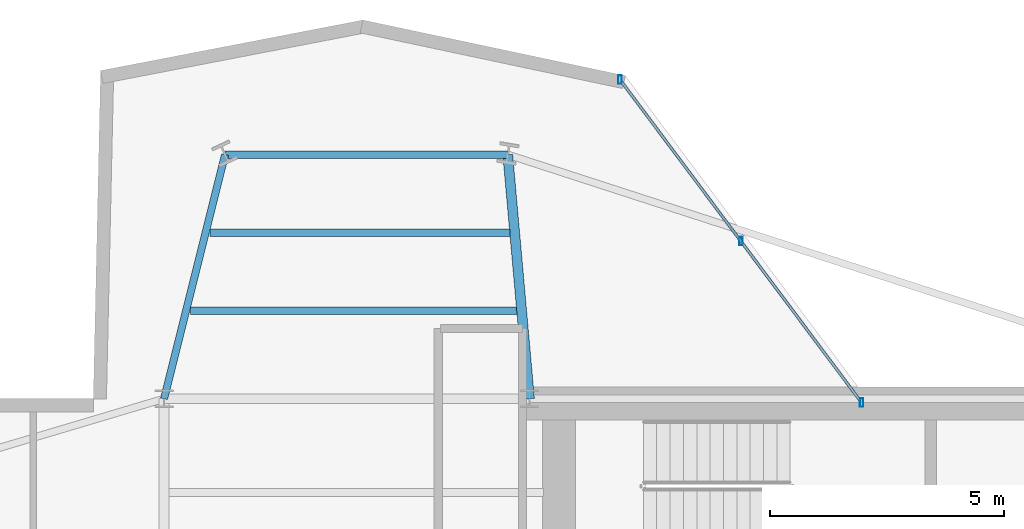
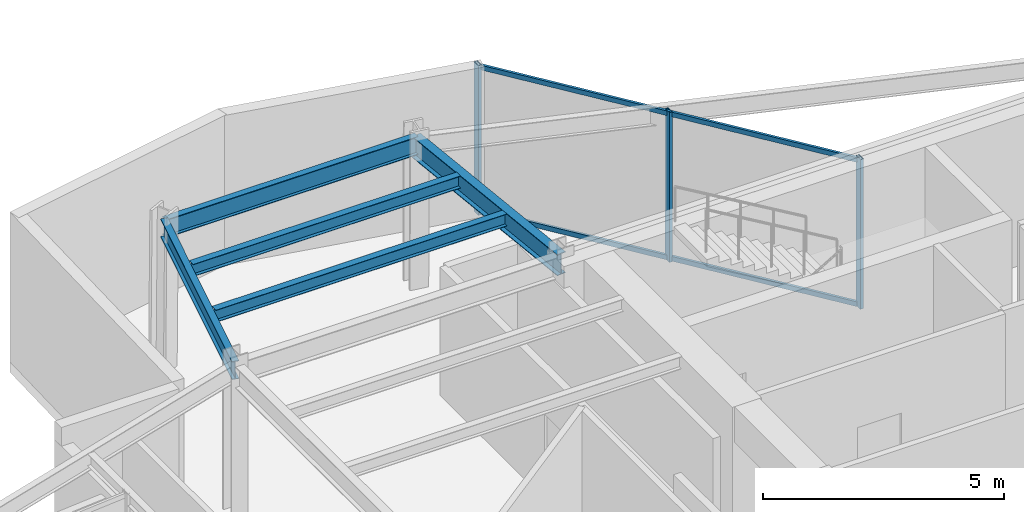
# One storey, part 9 of 18: 5 beams, 5 members, 1 element without a shape of its own.
"""IFC4 building model written with IfcOpenShell, lengths in metres."""

from ifc_helpers import new_model, si_unit, direction, frame, origin, origin_2d, place, context, subcontext, project, spatial, hollow_rectangle, i_section, extrude, material, layer, layer_set, material_profile, profile_set, type_object, element, aggregate, save


model = new_model("IFC4")

# Units and contexts
model_context = context("Model", 3, precision=1e-05, world=origin(), true_north=direction((0.0, 1.0)))
body_context = subcontext(model_context, "Body", "Model", "MODEL_VIEW")
ifc_project = project(units=[si_unit("LENGTHUNIT", "METRE"), si_unit("AREAUNIT", "SQUARE_METRE"), si_unit("VOLUMEUNIT", "CUBIC_METRE"), si_unit("PLANEANGLEUNIT", "RADIAN"), si_unit("MASSUNIT", "GRAM", prefix="KILO")], contexts=[model_context])

# Site, building, storey
site_placement = place(None, origin())
site = spatial("IfcSite", under=ifc_project, at=site_placement, CompositionType="ELEMENT")
building_placement = place(site_placement, origin())
building = spatial("IfcBuilding", under=site, at=building_placement, Name="Veymaron Broadcast Tower", CompositionType="ELEMENT")
storey_placement = place(building_placement, frame((0.0, 0.0, 236.39990234375)))
storey = spatial("IfcBuildingStorey", under=building, at=storey_placement, Name="L55", CompositionType="ELEMENT", Elevation=236.39990234375)

# Beams
ifc_material_1 = material(Name="Structural steel ASTM A992 Gr 50", Category="steel")
ifc_material_profile_1 = material_profile(ifc_material_1, i_section(OverallWidth=0.2099609375, OverallDepth=0.537109375, WebThickness=0.010986328125, FlangeThickness=0.017333984375, at=origin_2d()), Name="W530X101")
ifc_profile_set_1 = profile_set([ifc_material_profile_1], Name="Structural steel ASTM A992 Gr 50")
beam_type_1 = type_object("IfcBeamType", Name="BM-FG3", PredefinedType="BEAM", material=ifc_profile_set_1)
beam_1_placement = place(storey_placement, frame((39.0, 32.0, 3.521484375), z_axis=(-0.088915400246, 0.996039181759, 0.0), x_axis=(-0.996039181759, -0.088915400246, 0.0)))
element("IfcBeam", 1, at=beam_1_placement, inside=storey, type_object=beam_type_1, Name="L55 primary structural floor girder", PredefinedType="BEAM", context=body_context, shape_type="SweptSolid", body=[
    extrude(i_section(OverallWidth=0.2099609375, OverallDepth=0.537109375, WebThickness=0.010986328125, FlangeThickness=0.017333984375, at=origin_2d()), origin(), (0.0, 0.0, 1.0), 5.230712890625),
])
ifc_material_profile_2 = material_profile(ifc_material_1, i_section(OverallWidth=0.1650390625, OverallDepth=0.31005859375, WebThickness=0.005859375, FlangeThickness=0.009765625, at=origin_2d()), Name="W310X39")
ifc_profile_set_2 = profile_set([ifc_material_profile_2], Name="Structural steel ASTM A992 Gr 50")
beam_type_2 = type_object("IfcBeamType", Name="BM-JS3", PredefinedType="JOIST", material=ifc_profile_set_2)
beam_2_placement = place(storey_placement, frame((31.768798828125, 33.87548828125, 3.635009765625), z_axis=(1.0, 0.0, 0.0), x_axis=(0.0, 1.0, 0.0)))
element("IfcBeam", 2, at=beam_2_placement, inside=storey, type_object=beam_type_2, Name="L55 Arm-B secondary joist 1", PredefinedType="JOIST", context=body_context, shape_type="SweptSolid", body=[
    extrude(i_section(OverallWidth=0.1650390625, OverallDepth=0.31005859375, WebThickness=0.005859375, FlangeThickness=0.009765625, at=origin_2d()), origin(), (0.0, 0.0, 1.0), 6.9638671875),
])
beam_3_placement = place(storey_placement, frame((32.185302734375, 35.542724609375, 3.635009765625), z_axis=(1.0, 0.0, 0.0), x_axis=(0.0, 1.0, 0.0)))
element("IfcBeam", 3, at=beam_3_placement, inside=storey, type_object=beam_type_2, Name="L55 Arm-B secondary joist 2", PredefinedType="JOIST", context=body_context, shape_type="SweptSolid", body=[
    extrude(i_section(OverallWidth=0.1650390625, OverallDepth=0.31005859375, WebThickness=0.005859375, FlangeThickness=0.009765625, at=origin_2d()), origin(), (0.0, 0.0, 1.0), 6.3984375),
])
ifc_material_profile_3 = material_profile(ifc_material_1, i_section(OverallWidth=0.154052734375, OverallDepth=0.458984375, WebThickness=0.009033203125, FlangeThickness=0.015380859375, at=origin_2d()), Name="W460X68")
ifc_profile_set_3 = profile_set([ifc_material_profile_3], Name="Structural steel ASTM A992 Gr 50")
beam_type_3 = type_object("IfcBeamType", Name="BM-SP2", PredefinedType="SPANDREL", material=ifc_profile_set_3)
beam_4_placement = place(storey_placement, frame((31.199951171875, 32.0, 3.560546875), z_axis=(0.242450048139, 0.970163890359, 0.0), x_axis=(-0.970163890359, 0.242450048139, 0.0)))
element("IfcBeam", 4, at=beam_4_placement, inside=storey, type_object=beam_type_3, Name="L55 primary structural floor girder", PredefinedType="SPANDREL", context=body_context, shape_type="SweptSolid", body=[
    extrude(i_section(OverallWidth=0.154052734375, OverallDepth=0.458984375, WebThickness=0.009033203125, FlangeThickness=0.015380859375, at=origin_2d()), origin(), (0.0, 0.0, 1.0), 5.3701171875),
])
beam_5_placement = place(storey_placement, frame((32.501953125, 37.2099609375, 3.560546875), z_axis=(1.0, 0.0, 0.0), x_axis=(0.0, 1.0, 0.0)))
element("IfcBeam", 5, at=beam_5_placement, inside=storey, type_object=beam_type_3, Name="L55 primary structural floor girder", PredefinedType="SPANDREL", context=body_context, shape_type="SweptSolid", body=[
    extrude(i_section(OverallWidth=0.154052734375, OverallDepth=0.458984375, WebThickness=0.009033203125, FlangeThickness=0.015380859375, at=origin_2d()), origin(), (0.0, 0.0, 1.0), 6.032958984375),
])

# Curtain wall, members
ifc_material_2 = material(Name="Anodised aluminium AA 6063-T6 and laminated low-E dark glass", Category="aluminium")
ifc_layer = layer(ifc_material_2, 0.179931640625)
ifc_layer_set = layer_set([ifc_layer], Name="Anodised aluminium AA 6063-T6 and laminated low-E dark glass")
curtain_wall_type = type_object("IfcCurtainWallType", Name="CW-SYS-05", PredefinedType="NOTDEFINED", material=ifc_layer_set)
curtain_wall_placement = place(storey_placement, origin())
curtain_wall = element("IfcCurtainWall", 6, at=curtain_wall_placement, inside=storey, type_object=curtain_wall_type, Name="L55 dark-glass curtain wall CW-L55-E7-1", PredefinedType="NOTDEFINED")
ifc_material_3 = material(Name="Anodised aluminium AA 6063-T6", Category="aluminium")
ifc_material_profile_4 = material_profile(ifc_material_3, hollow_rectangle(XDim=0.074951171875, YDim=0.179931640625, WallThickness=0.0048828125, at=origin_2d()), Name="AL180X75X5")
ifc_profile_set_4 = profile_set([ifc_material_profile_4], Name="Anodised aluminium AA 6063-T6")
member_type_1 = type_object("IfcMemberType", Name="CW-MUL-02", PredefinedType="MULLION", material=ifc_profile_set_4)
member_1_placement = place(storey_placement, frame((46.089599609375, 31.916015625, 0.0), z_axis=(0.0, 0.0, 1.0), x_axis=(1.0, 0.0, 0.0)))
member_1 = element("IfcMember", 7, at=member_1_placement, type_object=member_type_1, Name="CW-L55-E7-1 mullion 0", PredefinedType="MULLION", context=body_context, shape_type="SweptSolid", body=[
    extrude(hollow_rectangle(XDim=0.074951171875, YDim=0.179931640625, WallThickness=0.0048828125, at=origin_2d()), origin(), (0.0, 0.0, 1.0), 3.7900390625),
])
member_2_placement = place(storey_placement, frame((43.51025390625, 35.364013671875, 0.0), z_axis=(0.0, 0.0, 1.0), x_axis=(1.0, 0.0, 0.0)))
member_2 = element("IfcMember", 8, at=member_2_placement, type_object=member_type_1, Name="CW-L55-E7-1 mullion 1", PredefinedType="MULLION", context=body_context, shape_type="SweptSolid", body=[
    extrude(hollow_rectangle(XDim=0.074951171875, YDim=0.179931640625, WallThickness=0.0048828125, at=origin_2d()), origin(), (0.0, 0.0, 1.0), 3.7900390625),
])
member_3_placement = place(storey_placement, frame((40.93115234375, 38.81201171875, 0.0), z_axis=(0.0, 0.0, 1.0), x_axis=(1.0, 0.0, 0.0)))
member_3 = element("IfcMember", 9, at=member_3_placement, type_object=member_type_1, Name="CW-L55-E7-1 mullion 2", PredefinedType="MULLION", context=body_context, shape_type="SweptSolid", body=[
    extrude(hollow_rectangle(XDim=0.074951171875, YDim=0.179931640625, WallThickness=0.0048828125, at=origin_2d()), origin(), (0.0, 0.0, 1.0), 3.7900390625),
])
ifc_material_profile_5 = material_profile(ifc_material_3, hollow_rectangle(XDim=0.06005859375, YDim=0.1201171875, WallThickness=0.00390625, at=origin_2d()), Name="AL120X60X4")
ifc_profile_set_5 = profile_set([ifc_material_profile_5], Name="Anodised aluminium AA 6063-T6")
member_type_2 = type_object("IfcMemberType", Name="CW-TRN-02", PredefinedType="USERDEFINED", material=ifc_profile_set_5)
member_4_placement = place(storey_placement, frame((46.0595703125, 31.9560546875, 0.070068359375), z_axis=(-0.598985338511, 0.800759991663, 0.0), x_axis=(-0.800759991663, -0.598985338511, 0.0)))
member_4 = element("IfcMember", 10, at=member_4_placement, type_object=member_type_2, Name="CW-L55-E7-1 transom B", ObjectType="TRANSOM", PredefinedType="USERDEFINED", context=body_context, shape_type="SweptSolid", body=[
    extrude(hollow_rectangle(XDim=0.06005859375, YDim=0.1201171875, WallThickness=0.00390625, at=origin_2d()), origin(), (0.0, 0.0, 1.0), 8.51220703125),
])
member_5_placement = place(storey_placement, frame((46.0595703125, 31.9560546875, 3.72021484375), z_axis=(-0.598985338511, 0.800759991663, 0.0), x_axis=(-0.800759991663, -0.598985338511, 0.0)))
member_5 = element("IfcMember", 11, at=member_5_placement, type_object=member_type_2, Name="CW-L55-E7-1 transom T", ObjectType="TRANSOM", PredefinedType="USERDEFINED", context=body_context, shape_type="SweptSolid", body=[
    extrude(hollow_rectangle(XDim=0.06005859375, YDim=0.1201171875, WallThickness=0.00390625, at=origin_2d()), origin(), (0.0, 0.0, 1.0), 8.51220703125),
])
aggregate(curtain_wall, [member_1, member_2, member_3, member_4, member_5])

save(model, "model.ifc")
